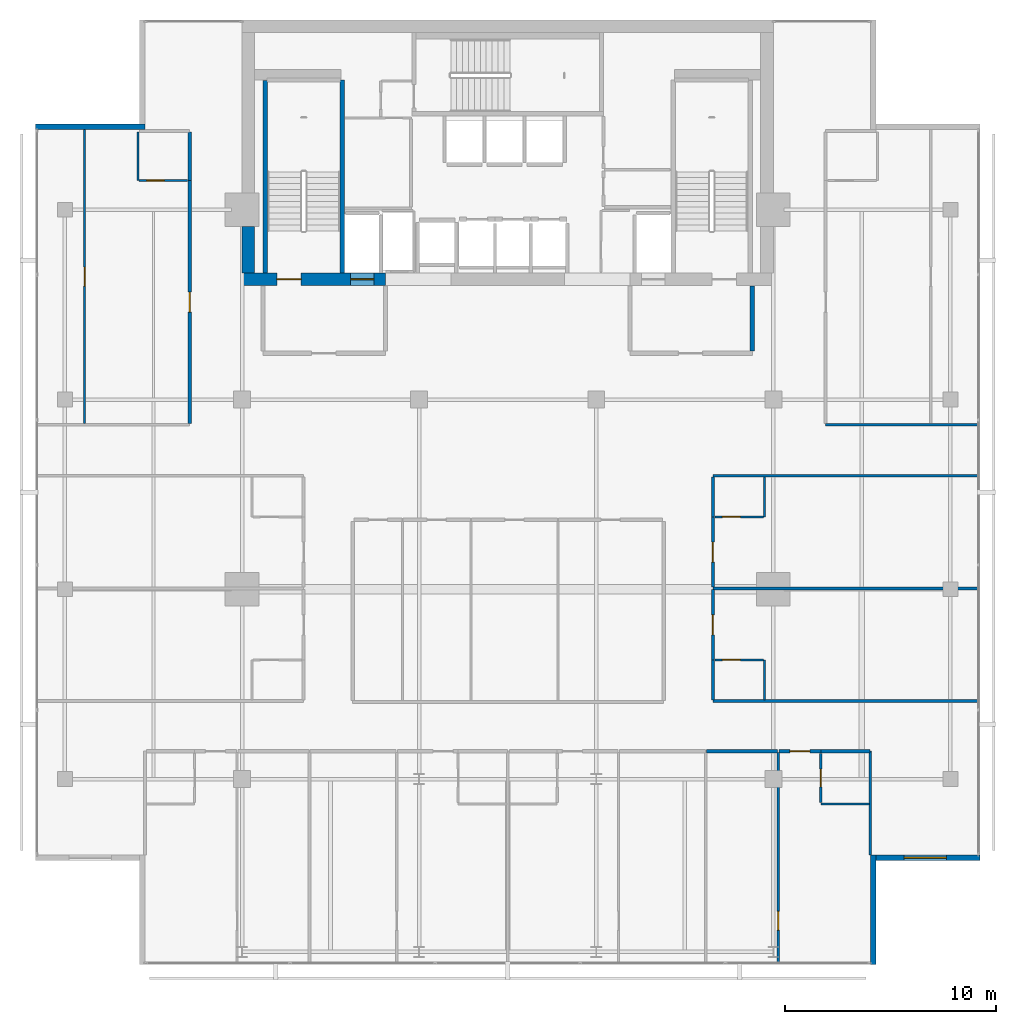
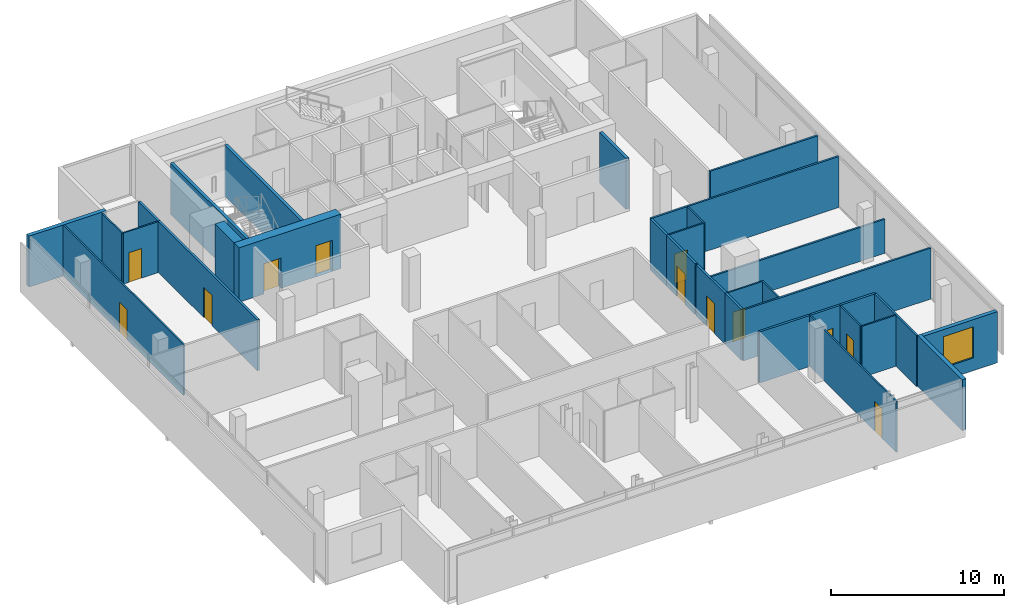
# One storey, part 21 of 25: 32 walls, 12 doors, 1 window, 13 openings.
"""IFC4 building model written with IfcOpenShell, lengths in metres."""

import ifcopenshell
import ifcopenshell.guid

model = None  # the IFC model being written
_history = None  # IfcOwnerHistory: only IFC2X3 demands one
_inside = {}  # id of a spatial element -> (the spatial element, [elements in it])
_under = {}  # id of a project, library or spatial element -> (it, [spatial elements below it])
_declared = {}  # id of a project -> (the project, [libraries it declares])
_typed = {}  # id of a type object -> (the type object, [elements of that type])
_made_of = {}  # id of a material, layer set ... -> (it, [elements and type objects made of it])


def new_model(schema):
    """Start an empty IFC model of exactly this schema.

    Asked for "IFC4X3", IfcOpenShell would pick the latest addendum, in which some entities
    have other attributes; the version numbers below select the first issue.
    IFC2X3 requires an IfcOwnerHistory on every rooted entity: one is made here for all.
    """
    global model, _history
    if schema == "IFC4X3":
        model = ifcopenshell.file(schema_version=(4, 3, 0, 0))
    else:
        model = ifcopenshell.file(schema=schema)
    _inside.clear()
    _under.clear()
    _declared.clear()
    _typed.clear()
    _made_of.clear()
    _history = None
    if model.schema == "IFC2X3":
        org = make("IfcOrganization", Name="unknown")
        user = make(
            "IfcPersonAndOrganization",
            ThePerson=make("IfcPerson", FamilyName="unknown"),
            TheOrganization=org,
        )
        app = make(
            "IfcApplication",
            ApplicationDeveloper=org,
            Version="unknown",
            ApplicationFullName="unknown",
            ApplicationIdentifier="unknown",
        )
        _history = make(
            "IfcOwnerHistory",
            OwningUser=user,
            OwningApplication=app,
            ChangeAction="ADDED",
            CreationDate=0,
        )
    return model


def make(cls, **values):
    """One entity of the class cls with the attributes given. An attribute that is None is left unset."""
    return model.create_entity(
        cls, **{name: value for name, value in values.items() if value is not None}
    )


def rooted(cls, **values):
    """An entity with a GlobalId (a new one), such as an element, a storey or a relation."""
    return make(cls, GlobalId=ifcopenshell.guid.new(), OwnerHistory=_history, **values)


def si_unit(unit_type, name, prefix=None):
    """IfcSIUnit, for example si_unit("LENGTHUNIT", "METRE", prefix="MILLI")."""
    return make("IfcSIUnit", UnitType=unit_type, Prefix=prefix, Name=name)


def assignment(units):
    """IfcUnitAssignment: the units of a project."""
    return None if units is None else make("IfcUnitAssignment", Units=units)


def point(xyz):
    """IfcCartesianPoint."""
    return None if xyz is None else make("IfcCartesianPoint", Coordinates=xyz)


def direction(xyz):
    """IfcDirection."""
    return None if xyz is None else make("IfcDirection", DirectionRatios=xyz)


def frame(location, z_axis=None, x_axis=None):
    """IfcAxis2Placement3D, a coordinate frame: its origin and axes. An axis left out is left unset."""
    return make(
        "IfcAxis2Placement3D",
        Location=point(location),
        Axis=direction(z_axis),
        RefDirection=direction(x_axis),
    )


def frame_2d(location, x_axis=None):
    """IfcAxis2Placement2D, a coordinate frame in the plane: its origin and x axis."""
    return make(
        "IfcAxis2Placement2D", Location=point(location), RefDirection=direction(x_axis)
    )


def origin():
    """The frame at (0, 0, 0) with its axes left unset."""
    return frame((0.0, 0.0, 0.0))


def place(relative_to, where):
    """IfcLocalPlacement: puts the frame where relative to a parent placement (None: the world)."""
    return make(
        "IfcLocalPlacement", PlacementRelTo=relative_to, RelativePlacement=where
    )


def context(
    kind, dimensions, precision=None, world=None, true_north=None, identifier=None
):
    """IfcGeometricRepresentationContext, for example the 3D "Model" context."""
    return make(
        "IfcGeometricRepresentationContext",
        ContextIdentifier=identifier,
        ContextType=kind,
        CoordinateSpaceDimension=dimensions,
        Precision=precision,
        WorldCoordinateSystem=world,
        TrueNorth=true_north,
    )


def subcontext(parent, identifier, kind, view, scale=None):
    """IfcGeometricRepresentationSubContext, for example "Body" below "Model"."""
    return make(
        "IfcGeometricRepresentationSubContext",
        ContextIdentifier=identifier,
        ContextType=kind,
        ParentContext=parent,
        TargetScale=scale,
        TargetView=view,
    )


def project(units=None, contexts=None):
    """IfcProject with its units and contexts."""
    return rooted(
        "IfcProject",
        Name="project",
        RepresentationContexts=contexts,
        UnitsInContext=assignment(units),
    )


def spatial(cls, under=None, at=None, **own):
    """A site, building, storey or space (cls), placed at a placement, below another one or the project."""
    s = rooted(cls, ObjectPlacement=at, **own)
    if under is not None:
        _under.setdefault(under.id(), (under, []))[1].append(s)
    return s


def profile(cls, at=None, kind="AREA", **sizes):
    """A parametric profile (cls). Its sizes go by their IFC names, for example OverallWidth=200.0."""
    return make(cls, ProfileType=kind, Position=at, **sizes)


def rectangle(**sizes):
    """IfcRectangleProfileDef."""
    return profile("IfcRectangleProfileDef", **sizes)


def extrude(swept, where, along, depth):
    """IfcExtrudedAreaSolid: the profile swept, set in the frame where, extruded along a direction by depth."""
    return make(
        "IfcExtrudedAreaSolid",
        SweptArea=swept,
        Position=where,
        ExtrudedDirection=direction(along),
        Depth=depth,
    )


def shape(context_of_items, identifier, shape_type, items):
    """IfcShapeRepresentation: the items that make up one representation, for example the "Body"."""
    return make(
        "IfcShapeRepresentation",
        ContextOfItems=context_of_items,
        RepresentationIdentifier=identifier,
        RepresentationType=shape_type,
        Items=items,
    )


def material(Name=None, Category=None):
    """IfcMaterial."""
    return make("IfcMaterial", Name=Name, Category=Category)


def layer(
    of_material, thickness, ventilated=None, Name=None, Category=None, Priority=None
):
    """IfcMaterialLayer: one layer of a wall or slab, of a material (None: an air gap)."""
    return make(
        "IfcMaterialLayer",
        Material=of_material,
        LayerThickness=thickness,
        IsVentilated=ventilated,
        Name=Name,
        Category=Category,
        Priority=Priority,
    )


def layer_set(layers, Name=None):
    """IfcMaterialLayerSet."""
    return make("IfcMaterialLayerSet", MaterialLayers=layers, LayerSetName=Name)


def made_of(thing, what):
    """Note that an element or type object is made of a material, layer set ...; save() writes the relation."""
    if what is not None:
        _made_of.setdefault(what.id(), (what, []))[1].append(thing)
    return thing


def type_object(cls, material=None, **own):
    """A type object (cls), such as IfcWallType, which elements share."""
    return made_of(rooted(cls, **own), material)


def element(
    cls,
    number,
    at=None,
    inside=None,
    cuts=None,
    type_object=None,
    material=None,
    context=None,
    identifier="Body",
    shape_type=None,
    held_by="IfcProductDefinitionShape",
    body=None,
    shapes=None,
    **own,
):
    """One element of the class cls, such as IfcWall. Its Tag is "e" and its number.

    at: its placement. inside: the storey or other place that contains it. cuts: it is an
    opening in that element (IfcRelVoidsElement). A single representation is given by context,
    identifier, shape_type and body (its items); several are given by shapes. held_by: the class
    of the entity that holds the representations. save() writes the other relations.
    """
    e = rooted(cls, Tag="e%d" % number, ObjectPlacement=at, **own)
    if body is not None:
        shapes = [shape(context, identifier, shape_type, body)]
    if shapes is not None:
        e.Representation = make(held_by, Representations=shapes)
    if inside is not None:
        _inside.setdefault(inside.id(), (inside, []))[1].append(e)
    if cuts is not None:
        rooted(
            "IfcRelVoidsElement", RelatingBuildingElement=cuts, RelatedOpeningElement=e
        )
    if type_object is not None:
        _typed.setdefault(type_object.id(), (type_object, []))[1].append(e)
    return made_of(e, material)


def fill(opening, filler):
    """IfcRelFillsElement: the door or window that sits in an opening."""
    return rooted(
        "IfcRelFillsElement",
        RelatingOpeningElement=opening,
        RelatedBuildingElement=filler,
    )


def aggregate(whole, parts):
    """IfcRelAggregates: a whole, such as a stair, and the parts it consists of."""
    return rooted("IfcRelAggregates", RelatingObject=whole, RelatedObjects=parts)


def save(model, path):
    """Write the relations noted so far, then the file.

    IfcRelAggregates (storeys below a building ...), IfcRelContainedInSpatialStructure (elements
    in a storey), IfcRelDefinesByType, IfcRelAssociatesMaterial and IfcRelDeclares: one each for
    every whole, place, type object, material and project.
    """
    for whole, parts in _under.values():
        aggregate(whole, parts)
    for where, things in _inside.values():
        rooted(
            "IfcRelContainedInSpatialStructure",
            RelatedElements=things,
            RelatingStructure=where,
        )
    for kind, things in _typed.values():
        rooted("IfcRelDefinesByType", RelatedObjects=things, RelatingType=kind)
    for what, things in _made_of.values():
        rooted("IfcRelAssociatesMaterial", RelatedObjects=things, RelatingMaterial=what)
    for by, libraries in _declared.values():
        rooted("IfcRelDeclares", RelatingContext=by, RelatedDefinitions=libraries)
    model.write(path)


model = new_model("IFC4")

# Units and contexts
model_context = context("Model", 3, precision=1e-05, world=origin(), true_north=direction((0.0, 1.0)))
body_context = subcontext(model_context, "Body", "Model", "MODEL_VIEW")
ifc_project = project(units=[si_unit("LENGTHUNIT", "METRE"), si_unit("AREAUNIT", "SQUARE_METRE"), si_unit("VOLUMEUNIT", "CUBIC_METRE"), si_unit("PLANEANGLEUNIT", "RADIAN"), si_unit("MASSUNIT", "GRAM", prefix="KILO")], contexts=[model_context])

# Site, building, storey
site_placement = place(None, origin())
site = spatial("IfcSite", under=ifc_project, at=site_placement, CompositionType="ELEMENT")
building_placement = place(site_placement, origin())
building = spatial("IfcBuilding", under=site, at=building_placement, Name="Maruvema Waterfront Hotel and Observation Tower", CompositionType="ELEMENT")
storey_placement = place(building_placement, frame((0.0, 0.0, 308.699951171875)))
storey = spatial("IfcBuildingStorey", under=building, at=storey_placement, Name="L76", CompositionType="ELEMENT", Elevation=308.699951171875)

# Walls
ifc_material_1 = material(Name="Twin-stud acoustic gypsum drywall", Category="gypsum")
ifc_layer_1 = layer(ifc_material_1, 0.14990234375, Name="Acoustic Corridor and Suite Demising Wall 150 mm")
ifc_layer_set_1 = layer_set([ifc_layer_1], Name="Twin-stud acoustic gypsum drywall")
wall_type_1 = type_object("IfcWallType", Name="Acoustic Corridor and Suite Demising Wall 150 mm", PredefinedType="PARTITIONING", material=ifc_layer_set_1)
wall_1_placement = place(storey_placement, frame((52.64990234375, 19.320068359375, 0.0), z_axis=(0.0, 0.0, 1.0), x_axis=(1.0, 0.0, 0.0)))
element("IfcWall", 1, at=wall_1_placement, inside=storey, type_object=wall_type_1, Name="L76 Bath L76-S4 Back Wall 054", PredefinedType="PARTITIONING", context=body_context, shape_type="SweptSolid", body=[
    extrude(rectangle(XDim=2.330078125, YDim=0.14990234375, at=frame_2d((1.1650390625, 0.0))), origin(), (0.0, 0.0, 1.0), 3.610107421875),
])
wall_2_placement = place(storey_placement, frame((47.219970703125, 19.320068359375, 0.0), z_axis=(0.0, 0.0, 1.0), x_axis=(1.0, 0.0, 0.0)))
element("IfcWall", 2, at=wall_2_placement, inside=storey, type_object=wall_type_1, Name="L76 Bedroom L76-S4 Back Wall 057", PredefinedType="PARTITIONING", context=body_context, shape_type="SweptSolid", body=[
    extrude(rectangle(XDim=3.3720703125, YDim=0.14990234375, at=frame_2d((1.68603515625, 0.0))), origin(), (0.0, 0.0, 1.0), 3.610107421875),
])

# Wall, opening, door
wall_3_placement = place(storey_placement, frame((50.672119140625, 19.320068359375, 0.0), z_axis=(0.0, 0.0, 1.0), x_axis=(1.0, 0.0, 0.0)))
wall_3 = element("IfcWall", 3, at=wall_3_placement, inside=storey, type_object=wall_type_1, Name="L76 Unit L76-S4 Corridor Wall 058", PredefinedType="PARTITIONING", context=body_context, shape_type="SweptSolid", body=[
    extrude(rectangle(XDim=1.977783203125, YDim=0.14990234375, at=frame_2d((0.98876953125, 0.0))), origin(), (0.0, 0.0, 1.0), 3.610107421875),
])
opening_1_placement = place(wall_3_placement, frame((0.513916015625, 0.0, 0.0)))
opening_1 = element("IfcOpeningElement", 4, at=opening_1_placement, cuts=wall_3, Name="Opening DR-095", PredefinedType="OPENING", context=body_context, shape_type="SweptSolid", body=[
    extrude(rectangle(XDim=0.949951171875, YDim=2.14990234375, at=frame_2d((0.47509765625, 1.074951171875))), frame((0.0, 0.0849609375, 0.0), z_axis=(0.0, -1.0, 0.0), x_axis=(1.0, 0.0, 0.0)), (0.0, 0.0, 1.0), 0.169921875),
])
ifc_material_2 = material(Name="Acoustic solid-core hardwood timber leaf", Category="wood")
door_type_1 = type_object("IfcDoorType", Name="Guestroom Entrance Fire Door 950x2150 mm", OperationType="NOTDEFINED", PredefinedType="DOOR", material=ifc_material_2)
door_1_placement = place(opening_1_placement, frame((0.949951171875, 0.0, 0.0), z_axis=(0.0, 0.0, 1.0), x_axis=(-1.0, 0.0, 0.0)))
door_1 = element("IfcDoor", 5, at=door_1_placement, inside=storey, type_object=door_type_1, Name="L76 Unit L76-S4 Entrance Door", OperationType="SINGLE_SWING_RIGHT", OverallHeight=2.14990234375, OverallWidth=0.949951171875, PredefinedType="DOOR", context=body_context, shape_type="SweptSolid", body=[
    extrude(rectangle(XDim=0.949951171875, YDim=2.14990234375, at=frame_2d((0.47509765625, 1.074951171875))), frame((0.0, 0.02490234375, 0.0), z_axis=(0.0, -1.0, 0.0), x_axis=(1.0, 0.0, 0.0)), (0.0, 0.0, 1.0), 0.050048828125),
])
fill(opening_1, door_1)

# Wall
wall_4_placement = place(storey_placement, frame((47.530029296875, 21.760009765625, 0.0), z_axis=(0.0, 0.0, 1.0), x_axis=(0.0, 1.0, 0.0)))
element("IfcWall", 6, at=wall_4_placement, inside=storey, type_object=wall_type_1, Name="L76 Bath L76-E1 Wall 068", PredefinedType="PARTITIONING", context=body_context, shape_type="SweptSolid", body=[
    extrude(rectangle(XDim=1.889892578125, YDim=0.14990234375, at=frame_2d((0.94482421875, 0.0))), origin(), (0.0, 0.0, 1.0), 3.610107421875),
])

# Wall, opening, door
wall_5_placement = place(storey_placement, frame((47.530029296875, 23.64990234375, 0.0), z_axis=(0.0, 0.0, 1.0), x_axis=(0.0, 1.0, 0.0)))
wall_5 = element("IfcWall", 7, at=wall_5_placement, inside=storey, type_object=wall_type_1, Name="L76 Room L76-E1 Corridor Wall 069", PredefinedType="PARTITIONING", context=body_context, shape_type="SweptSolid", body=[
    extrude(rectangle(XDim=3.330078125, YDim=0.14990234375, at=frame_2d((1.6650390625, 0.0))), origin(), (0.0, 0.0, 1.0), 3.610107421875),
])
opening_2_placement = place(wall_5_placement, frame((1.18994140625, 0.0, 0.0)))
opening_2 = element("IfcOpeningElement", 8, at=opening_2_placement, cuts=wall_5, Name="Opening DR-095", PredefinedType="OPENING", context=body_context, shape_type="SweptSolid", body=[
    extrude(rectangle(XDim=0.949951171875, YDim=2.14990234375, at=frame_2d((0.47509765625, 1.074951171875))), frame((0.0, 0.0849609375, 0.0), z_axis=(0.0, -1.0, 0.0), x_axis=(1.0, 0.0, 0.0)), (0.0, 0.0, 1.0), 0.169921875),
])
door_2_placement = place(opening_2_placement, frame((0.949951171875, 0.0, 0.0), z_axis=(0.0, 0.0, 1.0), x_axis=(-1.0, 0.0, 0.0)))
door_2 = element("IfcDoor", 9, at=door_2_placement, inside=storey, type_object=door_type_1, Name="L76 Room L76-E1 Entrance Door", OperationType="SINGLE_SWING_LEFT", OverallHeight=2.14990234375, OverallWidth=0.949951171875, PredefinedType="DOOR", context=body_context, shape_type="SweptSolid", body=[
    extrude(rectangle(XDim=0.949951171875, YDim=2.14990234375, at=frame_2d((0.47509765625, 1.074951171875))), frame((0.0, 0.02490234375, 0.0), z_axis=(0.0, -1.0, 0.0), x_axis=(1.0, 0.0, 0.0)), (0.0, 0.0, 1.0), 0.050048828125),
])
fill(opening_2, door_2)

wall_6_placement = place(storey_placement, frame((47.530029296875, 27.10009765625, 0.0), z_axis=(0.0, 0.0, 1.0), x_axis=(0.0, 1.0, 0.0)))
wall_6 = element("IfcWall", 10, at=wall_6_placement, inside=storey, type_object=wall_type_1, Name="L76 Room L76-E2 Corridor Wall 078", PredefinedType="PARTITIONING", context=body_context, shape_type="SweptSolid", body=[
    extrude(rectangle(XDim=3.329833984375, YDim=0.14990234375, at=frame_2d((1.6650390625, 0.0))), origin(), (0.0, 0.0, 1.0), 3.610107421875),
])
opening_3_placement = place(wall_6_placement, frame((1.18994140625, 0.0, 0.0)))
opening_3 = element("IfcOpeningElement", 11, at=opening_3_placement, cuts=wall_6, Name="Opening DR-095", PredefinedType="OPENING", context=body_context, shape_type="SweptSolid", body=[
    extrude(rectangle(XDim=0.949951171875, YDim=2.14990234375, at=frame_2d((0.47509765625, 1.074951171875))), frame((0.0, 0.0849609375, 0.0), z_axis=(0.0, -1.0, 0.0), x_axis=(1.0, 0.0, 0.0)), (0.0, 0.0, 1.0), 0.169921875),
])
door_3_placement = place(opening_3_placement, frame((0.949951171875, 0.0, 0.0), z_axis=(0.0, 0.0, 1.0), x_axis=(-1.0, 0.0, 0.0)))
door_3 = element("IfcDoor", 12, at=door_3_placement, inside=storey, type_object=door_type_1, Name="L76 Room L76-E2 Entrance Door", OperationType="SINGLE_SWING_LEFT", OverallHeight=2.14990234375, OverallWidth=0.949951171875, PredefinedType="DOOR", context=body_context, shape_type="SweptSolid", body=[
    extrude(rectangle(XDim=0.949951171875, YDim=2.14990234375, at=frame_2d((0.47509765625, 1.074951171875))), frame((0.0, 0.02490234375, 0.0), z_axis=(0.0, -1.0, 0.0), x_axis=(1.0, 0.0, 0.0)), (0.0, 0.0, 1.0), 0.050048828125),
])
fill(opening_3, door_3)

# Wall
wall_7_placement = place(storey_placement, frame((47.530029296875, 30.429931640625, 0.0), z_axis=(0.0, 0.0, 1.0), x_axis=(0.0, 1.0, 0.0)))
element("IfcWall", 13, at=wall_7_placement, inside=storey, type_object=wall_type_1, Name="L76 Bath L76-E2 Wall 079", PredefinedType="PARTITIONING", context=body_context, shape_type="SweptSolid", body=[
    extrude(rectangle(XDim=1.89013671875, YDim=0.14990234375, at=frame_2d((0.945068359375, 0.0))), origin(), (0.0, 0.0, 1.0), 3.610107421875),
])

# Wall, opening, door
wall_8_placement = place(storey_placement, frame((22.719970703125, 34.860107421875, 0.0), z_axis=(0.0, 0.0, 1.0), x_axis=(0.0, 1.0, 0.0)))
wall_8 = element("IfcWall", 14, at=wall_8_placement, inside=storey, type_object=wall_type_1, Name="L76 Room L76-NW1 Corridor Wall 086", PredefinedType="PARTITIONING", context=body_context, shape_type="SweptSolid", body=[
    extrude(rectangle(XDim=11.52734375, YDim=0.14990234375, at=frame_2d((5.763671875, 0.0))), origin(), (0.0, 0.0, 1.0), 3.610107421875),
])
opening_4_placement = place(wall_8_placement, frame((5.288818359375, 0.0, 0.0)))
opening_4 = element("IfcOpeningElement", 15, at=opening_4_placement, cuts=wall_8, Name="Opening DR-095", PredefinedType="OPENING", context=body_context, shape_type="SweptSolid", body=[
    extrude(rectangle(XDim=0.949951171875, YDim=2.14990234375, at=frame_2d((0.47509765625, 1.074951171875))), frame((0.0, 0.0849609375, 0.0), z_axis=(0.0, -1.0, 0.0), x_axis=(1.0, 0.0, 0.0)), (0.0, 0.0, 1.0), 0.169921875),
])
door_4_placement = place(opening_4_placement, origin())
door_4 = element("IfcDoor", 16, at=door_4_placement, inside=storey, type_object=door_type_1, Name="L76 Room L76-NW1 Entrance Door", OperationType="SINGLE_SWING_LEFT", OverallHeight=2.14990234375, OverallWidth=0.949951171875, PredefinedType="DOOR", context=body_context, shape_type="SweptSolid", body=[
    extrude(rectangle(XDim=0.949951171875, YDim=2.14990234375, at=frame_2d((0.47509765625, 1.074951171875))), frame((0.0, 0.02490234375, 0.0), z_axis=(0.0, -1.0, 0.0), x_axis=(1.0, 0.0, 0.0)), (0.0, 0.0, 1.0), 0.050048828125),
])
fill(opening_4, door_4)

# Walls
wall_9_placement = place(storey_placement, frame((22.719970703125, 46.387451171875, 0.0), z_axis=(0.0, 0.0, 1.0), x_axis=(0.0, 1.0, 0.0)))
element("IfcWall", 17, at=wall_9_placement, inside=storey, type_object=wall_type_1, Name="L76 Bath L76-NW1 Wall 087", PredefinedType="PARTITIONING", context=body_context, shape_type="SweptSolid", body=[
    extrude(rectangle(XDim=2.2900390625, YDim=0.14990234375, at=frame_2d((1.14501953125, 0.0))), origin(), (0.0, 0.0, 1.0), 3.610107421875),
])
ifc_material_3 = material(Name="Precast concrete C45/55", Category="concrete")
ifc_layer_2 = layer(ifc_material_3, 0.199951171875, Name="Core Shaft and Stairwell Enclosure Wall 200 mm")
ifc_layer_set_2 = layer_set([ifc_layer_2], Name="Precast concrete C45/55")
wall_type_2 = type_object("IfcWallType", Name="Core Shaft and Stairwell Enclosure Wall 200 mm", PredefinedType="SOLIDWALL", material=ifc_layer_set_2)
wall_10_placement = place(storey_placement, frame((29.949951171875, 42.0, 0.0), z_axis=(0.0, 0.0, 1.0), x_axis=(0.0, 1.0, 0.0)))
element("IfcWall", 18, at=wall_10_placement, inside=storey, type_object=wall_type_2, Name="L76 Stairwell ST-01 East Shaft Wall", PredefinedType="SOLIDWALL", context=body_context, shape_type="SweptSolid", body=[
    extrude(rectangle(XDim=9.14990234375, YDim=0.199951171875, at=frame_2d((4.574951171875, 0.0))), origin(), (0.0, 0.0, 1.0), 3.610107421875),
])
wall_11_placement = place(storey_placement, frame((26.300048828125, 42.0, 0.0), z_axis=(0.0, 0.0, 1.0), x_axis=(0.0, 1.0, 0.0)))
element("IfcWall", 19, at=wall_11_placement, inside=storey, type_object=wall_type_2, Name="L76 Stairwell ST-01 Shaft Lining Wall", PredefinedType="SOLIDWALL", context=body_context, shape_type="SweptSolid", body=[
    extrude(rectangle(XDim=9.1201171875, YDim=0.199951171875, at=frame_2d((4.56005859375, 0.0))), origin(), (0.0, 0.0, 1.0), 3.610107421875),
])

# Wall, openings, doors
ifc_material_4 = material(Name="Concrete C60/75", Category="concrete")
ifc_layer_3 = layer(ifc_material_4, 0.60009765625, Name="Core Shear Wall 600 mm")
ifc_layer_set_3 = layer_set([ifc_layer_3], Name="Concrete C60/75")
wall_type_3 = type_object("IfcWallType", Name="Core Shear Wall 600 mm", PredefinedType="SHEAR", material=ifc_layer_set_3)
wall_12_placement = place(storey_placement, frame((25.199951171875, 41.699951171875, 0.0), z_axis=(0.0, 0.0, 1.0), x_axis=(1.0, 0.0, 0.0)))
wall_12 = element("IfcWall", 20, at=wall_12_placement, inside=storey, type_object=wall_type_3, Name="L76 South-West Core Shear Wall", PredefinedType="SHEAR", context=body_context, shape_type="SweptSolid", body=[
    extrude(rectangle(XDim=6.800048828125, YDim=0.60009765625, at=frame_2d((3.39990234375, 0.0))), origin(), (0.0, 0.0, 1.0), 3.85009765625),
])
opening_5_placement = place(wall_12_placement, frame((1.64990234375, 0.0, 0.0)))
opening_5 = element("IfcOpeningElement", 21, at=opening_5_placement, cuts=wall_12, Name="Opening SD-01", PredefinedType="OPENING", context=body_context, shape_type="SweptSolid", body=[
    extrude(rectangle(XDim=1.14990234375, YDim=2.14990234375, at=frame_2d((0.574951171875, 1.074951171875))), frame((0.0, 0.31005859375, 0.0), z_axis=(0.0, -1.0, 0.0), x_axis=(1.0, 0.0, 0.0)), (0.0, 0.0, 1.0), 0.6201171875),
])
opening_6_placement = place(wall_12_placement, frame((5.14990234375, 0.0, 0.0)))
opening_6 = element("IfcOpeningElement", 22, at=opening_6_placement, cuts=wall_12, Name="Opening LD-03", PredefinedType="OPENING", context=body_context, shape_type="SweptSolid", body=[
    extrude(rectangle(XDim=1.10009765625, YDim=2.199951171875, at=frame_2d((0.550048828125, 1.10009765625))), frame((0.0, 0.31005859375, 0.0), z_axis=(0.0, -1.0, 0.0), x_axis=(1.0, 0.0, 0.0)), (0.0, 0.0, 1.0), 0.6201171875),
])
ifc_material_5 = material(Name="Fire-rated galvanised steel leaf", Category="steel")
door_type_2 = type_object("IfcDoorType", Name="Exit Stair Fire Door 1150x2150 mm", OperationType="NOTDEFINED", PredefinedType="DOOR", material=ifc_material_5)
door_5_placement = place(opening_5_placement, origin())
door_5 = element("IfcDoor", 23, at=door_5_placement, inside=storey, type_object=door_type_2, Name="L76 Exit Stair ST-01 Fire Door", OperationType="SINGLE_SWING_LEFT", OverallHeight=2.14990234375, OverallWidth=1.14990234375, PredefinedType="DOOR", context=body_context, shape_type="SweptSolid", body=[
    extrude(rectangle(XDim=1.14990234375, YDim=2.14990234375, at=frame_2d((0.574951171875, 1.074951171875))), frame((0.0, 0.02490234375, 0.0), z_axis=(0.0, -1.0, 0.0), x_axis=(1.0, 0.0, 0.0)), (0.0, 0.0, 1.0), 0.050048828125),
])
fill(opening_5, door_5)
ifc_material_6 = material(Name="Brushed stainless steel Grade 316", Category="steel")
door_type_3 = type_object("IfcDoorType", Name="Firefighting Lift Sliding Landing Door 1100x2200 mm", OperationType="SLIDING_TO_LEFT", PredefinedType="DOOR", material=ifc_material_6)
door_6_placement = place(opening_6_placement, frame((1.10009765625, 0.0, 0.0), z_axis=(0.0, 0.0, 1.0), x_axis=(-1.0, 0.0, 0.0)))
door_6 = element("IfcDoor", 24, at=door_6_placement, inside=storey, type_object=door_type_3, Name="L76 Firefighting Lift FL-01 Landing Door", OperationType="SLIDING_TO_LEFT", OverallHeight=2.199951171875, OverallWidth=1.10009765625, PredefinedType="DOOR", context=body_context, shape_type="SweptSolid", body=[
    extrude(rectangle(XDim=1.10009765625, YDim=2.199951171875, at=frame_2d((0.550048828125, 1.10009765625))), frame((0.0, 0.02490234375, 0.0), z_axis=(0.0, -1.0, 0.0), x_axis=(1.0, 0.0, 0.0)), (0.0, 0.0, 1.0), 0.050048828125),
])
fill(opening_6, door_6)

# Walls
wall_13_placement = place(storey_placement, frame((25.5, 42.0, 0.0), z_axis=(0.0, 0.0, 1.0), x_axis=(0.0, 1.0, 0.0)))
element("IfcWall", 25, at=wall_13_placement, inside=storey, type_object=wall_type_3, Name="L76 West-South Core Shear Wall", PredefinedType="SHEAR", context=body_context, shape_type="SweptSolid", body=[
    extrude(rectangle(XDim=2.199951171875, YDim=0.60009765625, at=frame_2d((1.10009765625, 0.0))), origin(), (0.0, 0.0, 1.0), 3.85009765625),
])
ifc_material_7 = material(Name="Moisture-resistant cement-board drywall", Category="gypsum")
ifc_layer_4 = layer(ifc_material_7, 0.10009765625, Name="En-Suite Moisture-Resistant Partition 100 mm")
ifc_layer_set_4 = layer_set([ifc_layer_4], Name="Moisture-resistant cement-board drywall")
wall_type_4 = type_object("IfcWallType", Name="En-Suite Moisture-Resistant Partition 100 mm", PredefinedType="PARTITIONING", material=ifc_layer_set_4)
wall_14_placement = place(storey_placement, frame((52.64990234375, 16.820068359375, 0.0), z_axis=(0.0, 0.0, 1.0), x_axis=(1.0, 0.0, 0.0)))
element("IfcWall", 26, at=wall_14_placement, inside=storey, type_object=wall_type_4, Name="L76 En-Suite L76-S4 South 055", PredefinedType="PARTITIONING", context=body_context, shape_type="SweptSolid", body=[
    extrude(rectangle(XDim=2.31005859375, YDim=0.10009765625, at=frame_2d((1.155029296875, 0.0))), origin(), (0.0, 0.0, 1.0), 3.610107421875),
])

# Wall, opening, door
wall_15_placement = place(storey_placement, frame((52.64990234375, 16.8798828125, 0.0), z_axis=(0.0, 0.0, 1.0), x_axis=(0.0, 1.0, 0.0)))
wall_15 = element("IfcWall", 27, at=wall_15_placement, inside=storey, type_object=wall_type_4, Name="L76 En-Suite L76-S4 West 056", PredefinedType="PARTITIONING", context=body_context, shape_type="SweptSolid", body=[
    extrude(rectangle(XDim=2.340087890625, YDim=0.10009765625, at=frame_2d((1.169921875, 0.0))), origin(), (0.0, 0.0, 1.0), 3.610107421875),
])
opening_7_placement = place(wall_15_placement, frame((0.7451171875, 0.0, 0.0)))
opening_7 = element("IfcOpeningElement", 28, at=opening_7_placement, cuts=wall_15, Name="Opening DR-085", PredefinedType="OPENING", context=body_context, shape_type="SweptSolid", body=[
    extrude(rectangle(XDim=0.85009765625, YDim=2.10009765625, at=frame_2d((0.425048828125, 1.050048828125))), frame((0.0, 0.06005859375, 0.0), z_axis=(0.0, -1.0, 0.0), x_axis=(1.0, 0.0, 0.0)), (0.0, 0.0, 1.0), 0.1201171875),
])
ifc_material_8 = material(Name="Moisture-resistant solid timber leaf", Category="wood")
door_type_4 = type_object("IfcDoorType", Name="En-Suite Bathroom Door 850x2100 mm", OperationType="NOTDEFINED", PredefinedType="DOOR", material=ifc_material_8)
door_7_placement = place(opening_7_placement, origin())
door_7 = element("IfcDoor", 29, at=door_7_placement, inside=storey, type_object=door_type_4, Name="L76 En-Suite L76-S4 Door", OperationType="SINGLE_SWING_LEFT", OverallHeight=2.10009765625, OverallWidth=0.85009765625, PredefinedType="DOOR", context=body_context, shape_type="SweptSolid", body=[
    extrude(rectangle(XDim=0.85009765625, YDim=2.10009765625, at=frame_2d((0.425048828125, 1.050048828125))), frame((0.0, 0.02490234375, 0.0), z_axis=(0.0, -1.0, 0.0), x_axis=(1.0, 0.0, 0.0)), (0.0, 0.0, 1.0), 0.050048828125),
])
fill(opening_7, door_7)

wall_16_placement = place(storey_placement, frame((50.632080078125, 9.22998046875, 0.0), z_axis=(0.0, 0.0, 1.0), x_axis=(0.0, 1.0, 0.0)))
wall_16 = element("IfcWall", 30, at=wall_16_placement, inside=storey, type_object=wall_type_4, Name="L76 Suite L76-S4 Split 059", PredefinedType="PARTITIONING", context=body_context, shape_type="SweptSolid", body=[
    extrude(rectangle(XDim=10.030029296875, YDim=0.10009765625, at=frame_2d((5.01513671875, 0.0))), origin(), (0.0, 0.0, 1.0), 3.610107421875),
])
opening_8_placement = place(wall_16_placement, frame((1.60009765625, 0.0, 0.0)))
opening_8 = element("IfcOpeningElement", 31, at=opening_8_placement, cuts=wall_16, Name="Opening DR-090", PredefinedType="OPENING", context=body_context, shape_type="SweptSolid", body=[
    extrude(rectangle(XDim=0.89990234375, YDim=2.10009765625, at=frame_2d((0.449951171875, 1.050048828125))), frame((0.0, 0.06005859375, 0.0), z_axis=(0.0, -1.0, 0.0), x_axis=(1.0, 0.0, 0.0)), (0.0, 0.0, 1.0), 0.1201171875),
])
ifc_material_9 = material(Name="Solid-core lacquered timber leaf", Category="wood")
door_type_5 = type_object("IfcDoorType", Name="Accessible Toilet and Room Door 900x2100 mm", OperationType="NOTDEFINED", PredefinedType="DOOR", material=ifc_material_9)
door_8_placement = place(opening_8_placement, frame((0.89990234375, 0.0, 0.0), z_axis=(0.0, 0.0, 1.0), x_axis=(-1.0, 0.0, 0.0)))
door_8 = element("IfcDoor", 32, at=door_8_placement, inside=storey, type_object=door_type_5, Name="L76 Suite L76-S4 Bedroom Door", OperationType="SINGLE_SWING_LEFT", OverallHeight=2.10009765625, OverallWidth=0.89990234375, PredefinedType="DOOR", context=body_context, shape_type="SweptSolid", body=[
    extrude(rectangle(XDim=0.89990234375, YDim=2.10009765625, at=frame_2d((0.449951171875, 1.050048828125))), frame((0.0, 0.02490234375, 0.0), z_axis=(0.0, -1.0, 0.0), x_axis=(1.0, 0.0, 0.0)), (0.0, 0.0, 1.0), 0.050048828125),
])
fill(opening_8, door_8)

# Wall
wall_17_placement = place(storey_placement, frame((49.97998046875, 21.760009765625, 0.0), z_axis=(0.0, 0.0, 1.0), x_axis=(0.0, 1.0, 0.0)))
element("IfcWall", 33, at=wall_17_placement, inside=storey, type_object=wall_type_4, Name="L76 En-Suite L76-E1 E 070", PredefinedType="PARTITIONING", context=body_context, shape_type="SweptSolid", body=[
    extrude(rectangle(XDim=1.889892578125, YDim=0.10009765625, at=frame_2d((0.94482421875, 0.0))), origin(), (0.0, 0.0, 1.0), 3.610107421875),
])

# Wall, opening, door
wall_18_placement = place(storey_placement, frame((47.6298828125, 23.64990234375, 0.0), z_axis=(0.0, 0.0, 1.0), x_axis=(1.0, 0.0, 0.0)))
wall_18 = element("IfcWall", 34, at=wall_18_placement, inside=storey, type_object=wall_type_4, Name="L76 En-Suite L76-E1 N 071", PredefinedType="PARTITIONING", context=body_context, shape_type="SweptSolid", body=[
    extrude(rectangle(XDim=2.300048828125, YDim=0.10009765625, at=frame_2d((1.14990234375, 0.0))), origin(), (0.0, 0.0, 1.0), 3.610107421875),
])
opening_9_placement = place(wall_18_placement, frame((0.35009765625, 0.0, 0.0)))
opening_9 = element("IfcOpeningElement", 35, at=opening_9_placement, cuts=wall_18, Name="Opening DR-085", PredefinedType="OPENING", context=body_context, shape_type="SweptSolid", body=[
    extrude(rectangle(XDim=0.85009765625, YDim=2.10009765625, at=frame_2d((0.425048828125, 1.050048828125))), frame((0.0, 0.06005859375, 0.0), z_axis=(0.0, -1.0, 0.0), x_axis=(1.0, 0.0, 0.0)), (0.0, 0.0, 1.0), 0.1201171875),
])
door_9_placement = place(opening_9_placement, origin())
door_9 = element("IfcDoor", 36, at=door_9_placement, inside=storey, type_object=door_type_4, Name="L76 En-Suite L76-E1 Door", OperationType="SINGLE_SWING_RIGHT", OverallHeight=2.10009765625, OverallWidth=0.85009765625, PredefinedType="DOOR", context=body_context, shape_type="SweptSolid", body=[
    extrude(rectangle(XDim=0.85009765625, YDim=2.10009765625, at=frame_2d((0.425048828125, 1.050048828125))), frame((0.0, 0.02490234375, 0.0), z_axis=(0.0, -1.0, 0.0), x_axis=(1.0, 0.0, 0.0)), (0.0, 0.0, 1.0), 0.050048828125),
])
fill(opening_9, door_9)

# Wall
wall_19_placement = place(storey_placement, frame((49.97998046875, 30.429931640625, 0.0), z_axis=(0.0, 0.0, 1.0), x_axis=(0.0, 1.0, 0.0)))
element("IfcWall", 37, at=wall_19_placement, inside=storey, type_object=wall_type_4, Name="L76 En-Suite L76-E2 E 080", PredefinedType="PARTITIONING", context=body_context, shape_type="SweptSolid", body=[
    extrude(rectangle(XDim=1.89013671875, YDim=0.10009765625, at=frame_2d((0.945068359375, 0.0))), origin(), (0.0, 0.0, 1.0), 3.610107421875),
])

# Wall, opening, door
wall_20_placement = place(storey_placement, frame((47.6298828125, 30.429931640625, 0.0), z_axis=(0.0, 0.0, 1.0), x_axis=(1.0, 0.0, 0.0)))
wall_20 = element("IfcWall", 38, at=wall_20_placement, inside=storey, type_object=wall_type_4, Name="L76 En-Suite L76-E2 S 081", PredefinedType="PARTITIONING", context=body_context, shape_type="SweptSolid", body=[
    extrude(rectangle(XDim=2.300048828125, YDim=0.10009765625, at=frame_2d((1.14990234375, 0.0))), origin(), (0.0, 0.0, 1.0), 3.610107421875),
])
opening_10_placement = place(wall_20_placement, frame((0.35009765625, 0.0, 0.0)))
opening_10 = element("IfcOpeningElement", 39, at=opening_10_placement, cuts=wall_20, Name="Opening DR-085", PredefinedType="OPENING", context=body_context, shape_type="SweptSolid", body=[
    extrude(rectangle(XDim=0.85009765625, YDim=2.10009765625, at=frame_2d((0.425048828125, 1.050048828125))), frame((0.0, 0.06005859375, 0.0), z_axis=(0.0, -1.0, 0.0), x_axis=(1.0, 0.0, 0.0)), (0.0, 0.0, 1.0), 0.1201171875),
])
door_10_placement = place(opening_10_placement, frame((0.85009765625, 0.0, 0.0), z_axis=(0.0, 0.0, 1.0), x_axis=(-1.0, 0.0, 0.0)))
door_10 = element("IfcDoor", 40, at=door_10_placement, inside=storey, type_object=door_type_4, Name="L76 En-Suite L76-E2 Door", OperationType="SINGLE_SWING_RIGHT", OverallHeight=2.10009765625, OverallWidth=0.85009765625, PredefinedType="DOOR", context=body_context, shape_type="SweptSolid", body=[
    extrude(rectangle(XDim=0.85009765625, YDim=2.10009765625, at=frame_2d((0.425048828125, 1.050048828125))), frame((0.0, 0.02490234375, 0.0), z_axis=(0.0, -1.0, 0.0), x_axis=(1.0, 0.0, 0.0)), (0.0, 0.0, 1.0), 0.050048828125),
])
fill(opening_10, door_10)

# Wall
wall_21_placement = place(storey_placement, frame((20.27001953125, 46.387451171875, 0.0), z_axis=(0.0, 0.0, 1.0), x_axis=(0.0, 1.0, 0.0)))
element("IfcWall", 41, at=wall_21_placement, inside=storey, type_object=wall_type_4, Name="L76 En-Suite L76-NW1 W 088", PredefinedType="PARTITIONING", context=body_context, shape_type="SweptSolid", body=[
    extrude(rectangle(XDim=2.2900390625, YDim=0.10009765625, at=frame_2d((1.14501953125, 0.0))), origin(), (0.0, 0.0, 1.0), 3.610107421875),
])

# Wall, opening, door
wall_22_placement = place(storey_placement, frame((20.320068359375, 46.387451171875, 0.0), z_axis=(0.0, 0.0, 1.0), x_axis=(1.0, 0.0, 0.0)))
wall_22 = element("IfcWall", 42, at=wall_22_placement, inside=storey, type_object=wall_type_4, Name="L76 En-Suite L76-NW1 S 089", PredefinedType="PARTITIONING", context=body_context, shape_type="SweptSolid", body=[
    extrude(rectangle(XDim=2.300048828125, YDim=0.10009765625, at=frame_2d((1.14990234375, 0.0))), origin(), (0.0, 0.0, 1.0), 3.610107421875),
])
opening_11_placement = place(wall_22_placement, frame((0.35009765625, 0.0, 0.0)))
opening_11 = element("IfcOpeningElement", 43, at=opening_11_placement, cuts=wall_22, Name="Opening DR-085", PredefinedType="OPENING", context=body_context, shape_type="SweptSolid", body=[
    extrude(rectangle(XDim=0.85009765625, YDim=2.10009765625, at=frame_2d((0.425048828125, 1.050048828125))), frame((0.0, 0.06005859375, 0.0), z_axis=(0.0, -1.0, 0.0), x_axis=(1.0, 0.0, 0.0)), (0.0, 0.0, 1.0), 0.1201171875),
])
door_11_placement = place(opening_11_placement, frame((0.85009765625, 0.0, 0.0), z_axis=(0.0, 0.0, 1.0), x_axis=(-1.0, 0.0, 0.0)))
door_11 = element("IfcDoor", 44, at=door_11_placement, inside=storey, type_object=door_type_4, Name="L76 En-Suite L76-NW1 Door", OperationType="SINGLE_SWING_RIGHT", OverallHeight=2.10009765625, OverallWidth=0.85009765625, PredefinedType="DOOR", context=body_context, shape_type="SweptSolid", body=[
    extrude(rectangle(XDim=0.85009765625, YDim=2.10009765625, at=frame_2d((0.425048828125, 1.050048828125))), frame((0.0, 0.02490234375, 0.0), z_axis=(0.0, -1.0, 0.0), x_axis=(1.0, 0.0, 0.0)), (0.0, 0.0, 1.0), 0.050048828125),
])
fill(opening_11, door_11)

wall_23_placement = place(storey_placement, frame((17.737548828125, 34.860107421875, 0.0), z_axis=(0.0, 0.0, 1.0), x_axis=(0.0, 1.0, 0.0)))
wall_23 = element("IfcWall", 45, at=wall_23_placement, inside=storey, type_object=wall_type_4, Name="L76 Suite L76-NW1 Split 090", PredefinedType="PARTITIONING", context=body_context, shape_type="SweptSolid", body=[
    extrude(rectangle(XDim=13.9375, YDim=0.10009765625, at=frame_2d((6.96875, 0.0))), origin(), (0.0, 0.0, 1.0), 3.610107421875),
])
opening_12_placement = place(wall_23_placement, frame((6.518798828125, 0.0, 0.0)))
opening_12 = element("IfcOpeningElement", 46, at=opening_12_placement, cuts=wall_23, Name="Opening DR-090", PredefinedType="OPENING", context=body_context, shape_type="SweptSolid", body=[
    extrude(rectangle(XDim=0.89990234375, YDim=2.10009765625, at=frame_2d((0.449951171875, 1.050048828125))), frame((0.0, 0.06005859375, 0.0), z_axis=(0.0, -1.0, 0.0), x_axis=(1.0, 0.0, 0.0)), (0.0, 0.0, 1.0), 0.1201171875),
])
door_12_placement = place(opening_12_placement, origin())
door_12 = element("IfcDoor", 47, at=door_12_placement, inside=storey, type_object=door_type_5, Name="L76 Suite L76-NW1 Bedroom Door", OperationType="SINGLE_SWING_RIGHT", OverallHeight=2.10009765625, OverallWidth=0.89990234375, PredefinedType="DOOR", context=body_context, shape_type="SweptSolid", body=[
    extrude(rectangle(XDim=0.89990234375, YDim=2.10009765625, at=frame_2d((0.449951171875, 1.050048828125))), frame((0.0, 0.02490234375, 0.0), z_axis=(0.0, -1.0, 0.0), x_axis=(1.0, 0.0, 0.0)), (0.0, 0.0, 1.0), 0.050048828125),
])
fill(opening_12, door_12)

# Wall
ifc_material_10 = material(Name="Precast concrete C45/55 with honed Pernambuco granite facing", Category="masonry")
ifc_layer_5 = layer(ifc_material_10, 0.260009765625, Name="Exterior Granite Clad Spandrel and Pier Wall 260 mm")
ifc_layer_set_5 = layer_set([ifc_layer_5], Name="Precast concrete C45/55 with honed Pernambuco granite facing")
wall_type_5 = type_object("IfcWallType", Name="Exterior Granite Clad Spandrel and Pier Wall 260 mm", PredefinedType="SOLIDWALL", material=ifc_layer_set_5)
wall_24_placement = place(storey_placement, frame((55.1298828125, 14.39990234375, 0.0), z_axis=(0.0, 0.0, 1.0), x_axis=(0.0, -1.0, 0.0)))
element("IfcWall", 48, at=wall_24_placement, inside=storey, type_object=wall_type_5, Name="L76 Corner Notch Granite Pier Wall SE1", PredefinedType="SOLIDWALL", context=body_context, shape_type="SweptSolid", body=[
    extrude(rectangle(XDim=5.199951171875, YDim=0.260009765625, at=frame_2d((2.60009765625, 0.0))), origin(), (0.0, 0.0, 1.0), 3.610107421875),
])

# Wall, opening, window
wall_25_placement = place(storey_placement, frame((60.199951171875, 14.27001953125, 0.0), z_axis=(0.0, 0.0, 1.0), x_axis=(-1.0, 0.0, 0.0)))
wall_25 = element("IfcWall", 49, at=wall_25_placement, inside=storey, type_object=wall_type_5, Name="L76 Corner Notch Granite Pier Wall SE2", PredefinedType="SOLIDWALL", context=body_context, shape_type="SweptSolid", body=[
    extrude(rectangle(XDim=5.199951171875, YDim=0.260009765625, at=frame_2d((2.60009765625, 0.0))), origin(), (0.0, 0.0, 1.0), 3.610107421875),
])
opening_13_placement = place(wall_25_placement, frame((1.60009765625, 0.0, 0.89990234375)))
opening_13 = element("IfcOpeningElement", 50, at=opening_13_placement, cuts=wall_25, Name="Opening WN-03", PredefinedType="OPENING", context=body_context, shape_type="SweptSolid", body=[
    extrude(rectangle(XDim=2.0, YDim=2.199951171875, at=frame_2d((1.0, 1.10009765625))), frame((0.0, 0.14013671875, 0.0), z_axis=(0.0, -1.0, 0.0), x_axis=(1.0, 0.0, 0.0)), (0.0, 0.0, 1.0), 0.280029296875),
])
ifc_material_11 = material(Name="Anodised bronze aluminium frame with laminated low-E glass", Category="aluminium")
window_type = type_object("IfcWindowType", Name="Sky Suite Panoramic Notch Window 2000x2200 mm", PartitioningType="SINGLE_PANEL", PredefinedType="WINDOW", material=ifc_material_11)
window_placement = place(opening_13_placement, origin())
window = element("IfcWindow", 51, at=window_placement, inside=storey, type_object=window_type, Name="L76 Corner Notch Punched Window SE2", OverallHeight=2.199951171875, OverallWidth=2.0, PartitioningType="SINGLE_PANEL", PredefinedType="WINDOW", context=body_context, shape_type="SweptSolid", body=[
    extrude(rectangle(XDim=2.0, YDim=2.199951171875, at=frame_2d((1.0, 1.10009765625))), frame((0.0, 0.030029296875, 0.0), z_axis=(0.0, -1.0, 0.0), x_axis=(1.0, 0.0, 0.0)), (0.0, 0.0, 1.0), 0.06005859375),
])
fill(opening_13, window)

# Walls
wall_26_placement = place(storey_placement, frame((15.39990234375, 48.929931640625, 0.0), z_axis=(0.0, 0.0, 1.0), x_axis=(1.0, 0.0, 0.0)))
element("IfcWall", 52, at=wall_26_placement, inside=storey, type_object=wall_type_5, Name="L76 Corner Notch Granite Pier Wall NW2", PredefinedType="SOLIDWALL", context=body_context, shape_type="SweptSolid", body=[
    extrude(rectangle(XDim=5.2001953125, YDim=0.260009765625, at=frame_2d((2.60009765625, 0.0))), origin(), (0.0, 0.0, 1.0), 3.610107421875),
])
ifc_material_12 = material(Name="Autoclaved cellular concrete blockwork", Category="masonry")
ifc_layer_6 = layer(ifc_material_12, 0.199951171875, Name="Fire Compartment Masonry Wall 200 mm")
ifc_layer_set_6 = layer_set([ifc_layer_6], Name="Autoclaved cellular concrete blockwork")
wall_type_6 = type_object("IfcWallType", Name="Fire Compartment Masonry Wall 200 mm", PredefinedType="PARTITIONING", material=ifc_layer_set_6)
wall_27_placement = place(storey_placement, frame((49.39990234375, 38.31005859375, 0.0), z_axis=(0.0, 0.0, 1.0), x_axis=(0.0, 1.0, 0.0)))
element("IfcWall", 53, at=wall_27_placement, inside=storey, type_object=wall_type_6, Name="L76 FFL East East Wall 006", PredefinedType="PARTITIONING", context=body_context, shape_type="SweptSolid", body=[
    extrude(rectangle(XDim=3.06982421875, YDim=0.199951171875, at=frame_2d((1.534912109375, 0.0))), origin(), (0.0, 0.0, 1.0), 3.610107421875),
])
ifc_material_13 = material(Name="Acoustic gypsum plasterboard drywall", Category="gypsum")
ifc_layer_7 = layer(ifc_material_13, 0.125, Name="Guestroom Acoustic Demising Wall 125 mm")
ifc_layer_set_7 = layer_set([ifc_layer_7], Name="Acoustic gypsum plasterboard drywall")
wall_type_7 = type_object("IfcWallType", Name="Guestroom Acoustic Demising Wall 125 mm", PredefinedType="PARTITIONING", material=ifc_layer_set_7)
wall_28_placement = place(storey_placement, frame((55.0, 14.39990234375, 0.0), z_axis=(0.0, 0.0, 1.0), x_axis=(0.0, 1.0, 0.0)))
element("IfcWall", 54, at=wall_28_placement, inside=storey, type_object=wall_type_7, Name="L76 Z3 S East End 032", PredefinedType="PARTITIONING", context=body_context, shape_type="SweptSolid", body=[
    extrude(rectangle(XDim=4.920166015625, YDim=0.125, at=frame_2d((2.4599609375, 0.0))), origin(), (0.0, 0.0, 1.0), 3.610107421875),
])
for number, where, z_axis, x_axis, name in (
    (55, (47.530029296875, 21.699951171875, 0.0), (0.0, 0.0, 1.0), (1.0, 0.0, 0.0), "L76 Z3 E Bot End 061"),
    (56, (47.530029296875, 32.3798828125, 0.0), (0.0, 0.0, 1.0), (1.0, 0.0, 0.0), "L76 Z3 E Top End 063"),
):
    element("IfcWall", number, at=place(storey_placement, frame(where, z_axis=z_axis, x_axis=x_axis)), inside=storey, type_object=wall_type_7, Name=name, PredefinedType="PARTITIONING", context=body_context, shape_type="SweptSolid", body=[
        extrude(rectangle(XDim=12.570068359375, YDim=0.125, at=frame_2d((6.28515625, 0.0))), origin(), (0.0, 0.0, 1.0), 3.610107421875),
    ])
wall_29_placement = place(storey_placement, frame((47.530029296875, 27.0400390625, 0.0), z_axis=(0.0, 0.0, 1.0), x_axis=(1.0, 0.0, 0.0)))
element("IfcWall", 57, at=wall_29_placement, inside=storey, type_object=wall_type_7, Name="L76 Z3 E Demising 2 073", PredefinedType="PARTITIONING", context=body_context, shape_type="SweptSolid", body=[
    extrude(rectangle(XDim=12.570068359375, YDim=0.125, at=frame_2d((6.28515625, 0.0))), origin(), (0.0, 0.0, 1.0), 2.41015625),
])
wall_30_placement = place(storey_placement, frame((52.8798828125, 34.800048828125, 0.0), z_axis=(0.0, 0.0, 1.0), x_axis=(1.0, 0.0, 0.0)))
element("IfcWall", 58, at=wall_30_placement, inside=storey, type_object=wall_type_7, Name="L76 Z3 NE Bot End 083", PredefinedType="PARTITIONING", context=body_context, shape_type="SweptSolid", body=[
    extrude(rectangle(XDim=7.22021484375, YDim=0.125, at=frame_2d((3.610107421875, 0.0))), origin(), (0.0, 0.0, 1.0), 3.610107421875),
])

save(model, "model.ifc")
